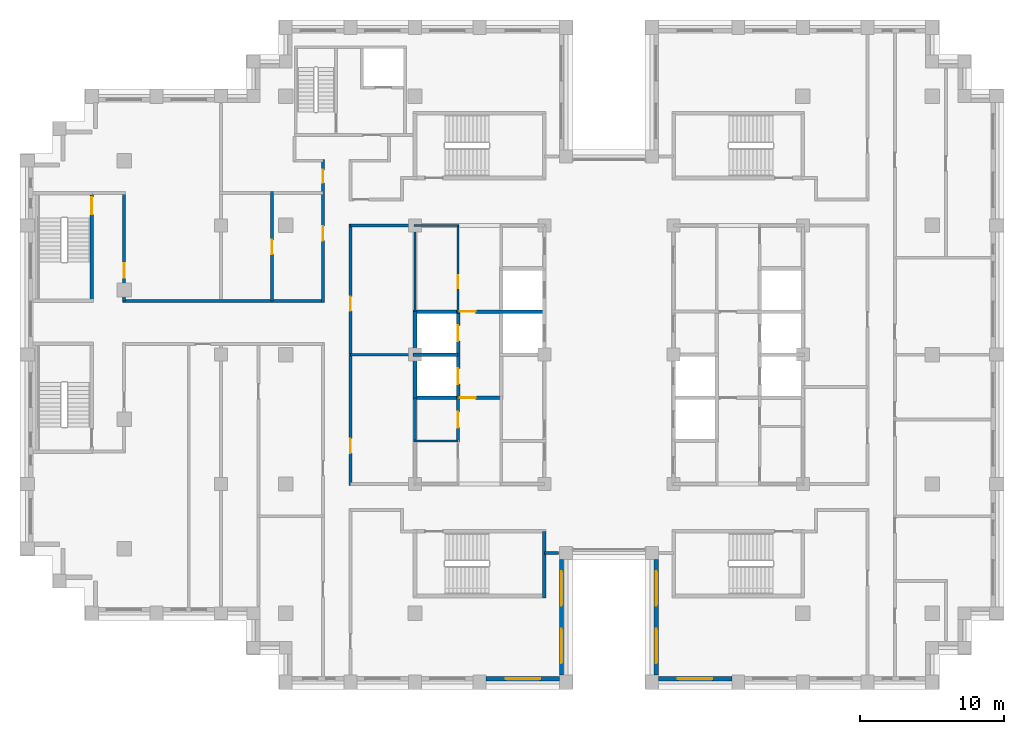
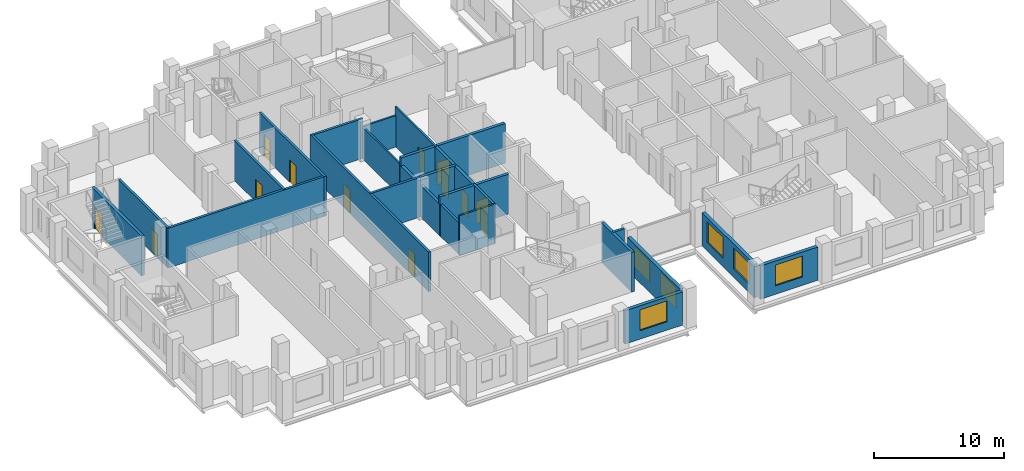
# One storey, part 7 of 15: 25 walls, 13 doors, 6 windows, 19 openings.
"""IFC4 building model written with IfcOpenShell, lengths in metres."""

from ifc_helpers import new_model, si_unit, direction, frame, frame_2d, origin, place, context, subcontext, project, spatial, rectangle, extrude, material, layer, layer_set, type_object, element, fill, save


model = new_model("IFC4")

# Units and contexts
model_context = context("Model", 3, precision=1e-05, world=origin(), true_north=direction((0.0, 1.0)))
body_context = subcontext(model_context, "Body", "Model", "MODEL_VIEW")
ifc_project = project(units=[si_unit("LENGTHUNIT", "METRE"), si_unit("AREAUNIT", "SQUARE_METRE"), si_unit("VOLUMEUNIT", "CUBIC_METRE"), si_unit("PLANEANGLEUNIT", "RADIAN"), si_unit("MASSUNIT", "GRAM", prefix="KILO")], contexts=[model_context])

# Site, building, storey
site_placement = place(None, origin())
site = spatial("IfcSite", under=ifc_project, at=site_placement, CompositionType="ELEMENT")
building_placement = place(site_placement, origin())
building = spatial("IfcBuilding", under=site, at=building_placement, Name="Corbelhall Arena Tower", CompositionType="ELEMENT")
storey_placement = place(building_placement, frame((0.0, 0.0, 196.0)))
storey = spatial("IfcBuildingStorey", under=building, at=storey_placement, Name="L40", CompositionType="ELEMENT", Elevation=196.0)

# Wall, opening, window
ifc_material_1 = material(Name="Precast concrete C40/50 with granite facing", Category="masonry")
ifc_layer_1 = layer(ifc_material_1, 0.300048828125)
ifc_layer_set_1 = layer_set([ifc_layer_1], Name="EV-IW1 Infill panel 300")
wall_type_1 = type_object("IfcWallType", Name="EV-IW1 Infill panel 300", PredefinedType="SOLIDWALL", material=ifc_layer_set_1)
wall_1_placement = place(storey_placement, frame((-8.550048828125, -22.550048828125, 0.0), z_axis=(0.0, 0.0, 1.0), x_axis=(1.0, 0.0, 0.0)))
wall_1 = element("IfcWall", 1, at=wall_1_placement, inside=storey, type_object=wall_type_1, Name="Infill panel IW1", PredefinedType="SOLIDWALL", context=body_context, shape_type="SweptSolid", body=[
    extrude(rectangle(XDim=5.10009765625, YDim=0.300048828125, at=frame_2d((2.550048828125, 0.0))), origin(), (0.0, 0.0, 1.0), 3.1201171875),
])
opening_1_placement = place(wall_1_placement, frame((1.35009765625, 0.0, 0.800048828125)))
opening_1 = element("IfcOpeningElement", 2, at=opening_1_placement, cuts=wall_1, Name="Opening WN1", PredefinedType="OPENING", context=body_context, shape_type="SweptSolid", body=[
    extrude(rectangle(XDim=2.39990234375, YDim=1.949951171875, at=frame_2d((1.199951171875, 0.97509765625))), frame((0.0, 0.14990234375, 0.0), z_axis=(0.0, -1.0, 0.0), x_axis=(1.0, 0.0, 0.0)), (0.0, 0.0, 1.0), 0.300048828125),
])
ifc_material_2 = material(Name="Aluminium black anodised", Category="aluminium")
window_type = type_object("IfcWindowType", Name="EV-WN1 Office window", PartitioningType="SINGLE_PANEL", PredefinedType="WINDOW", material=ifc_material_2)
window_1_placement = place(opening_1_placement, origin())
window_1 = element("IfcWindow", 3, at=window_1_placement, inside=storey, type_object=window_type, Name="Window WN1", OverallHeight=1.949951171875, OverallWidth=2.39990234375, PartitioningType="SINGLE_PANEL", PredefinedType="WINDOW", context=body_context, shape_type="SweptSolid", body=[
    extrude(rectangle(XDim=2.39990234375, YDim=1.949951171875, at=frame_2d((1.199951171875, 0.97509765625))), frame((0.0, 0.030029296875, 0.0), z_axis=(0.0, -1.0, 0.0), x_axis=(1.0, 0.0, 0.0)), (0.0, 0.0, 1.0), 0.06005859375),
])
fill(opening_1, window_1)

# Wall, openings, windows
wall_2_placement = place(storey_placement, frame((-3.300048828125, -22.300048828125, 0.0), z_axis=(0.0, 0.0, 1.0), x_axis=(0.0, 1.0, 0.0)))
wall_2 = element("IfcWall", 4, at=wall_2_placement, inside=storey, type_object=wall_type_1, Name="Infill panel IW1", PredefinedType="SOLIDWALL", context=body_context, shape_type="SweptSolid", body=[
    extrude(rectangle(XDim=8.050048828125, YDim=0.300048828125, at=frame_2d((4.02490234375, 0.0))), origin(), (0.0, 0.0, 1.0), 3.1201171875),
])
opening_2_placement = place(wall_2_placement, frame((0.8125, 0.0, 0.800048828125)))
opening_2 = element("IfcOpeningElement", 5, at=opening_2_placement, cuts=wall_2, Name="Opening WN1", PredefinedType="OPENING", context=body_context, shape_type="SweptSolid", body=[
    extrude(rectangle(XDim=2.39990234375, YDim=1.949951171875, at=frame_2d((1.199951171875, 0.97509765625))), frame((0.0, 0.14990234375, 0.0), z_axis=(0.0, -1.0, 0.0), x_axis=(1.0, 0.0, 0.0)), (0.0, 0.0, 1.0), 0.300048828125),
])
opening_3_placement = place(wall_2_placement, frame((4.83740234375, 0.0, 0.800048828125)))
opening_3 = element("IfcOpeningElement", 6, at=opening_3_placement, cuts=wall_2, Name="Opening WN1", PredefinedType="OPENING", context=body_context, shape_type="SweptSolid", body=[
    extrude(rectangle(XDim=2.39990234375, YDim=1.949951171875, at=frame_2d((1.199951171875, 0.97509765625))), frame((0.0, 0.14990234375, 0.0), z_axis=(0.0, -1.0, 0.0), x_axis=(1.0, 0.0, 0.0)), (0.0, 0.0, 1.0), 0.300048828125),
])
window_2_placement = place(opening_2_placement, origin())
window_2 = element("IfcWindow", 7, at=window_2_placement, inside=storey, type_object=window_type, Name="Window WN1", OverallHeight=1.949951171875, OverallWidth=2.39990234375, PartitioningType="SINGLE_PANEL", PredefinedType="WINDOW", context=body_context, shape_type="SweptSolid", body=[
    extrude(rectangle(XDim=2.39990234375, YDim=1.949951171875, at=frame_2d((1.199951171875, 0.97509765625))), frame((0.0, 0.030029296875, 0.0), z_axis=(0.0, -1.0, 0.0), x_axis=(1.0, 0.0, 0.0)), (0.0, 0.0, 1.0), 0.06005859375),
])
fill(opening_2, window_2)
window_3_placement = place(opening_3_placement, origin())
window_3 = element("IfcWindow", 8, at=window_3_placement, inside=storey, type_object=window_type, Name="Window WN1", OverallHeight=1.949951171875, OverallWidth=2.39990234375, PartitioningType="SINGLE_PANEL", PredefinedType="WINDOW", context=body_context, shape_type="SweptSolid", body=[
    extrude(rectangle(XDim=2.39990234375, YDim=1.949951171875, at=frame_2d((1.199951171875, 0.97509765625))), frame((0.0, 0.030029296875, 0.0), z_axis=(0.0, -1.0, 0.0), x_axis=(1.0, 0.0, 0.0)), (0.0, 0.0, 1.0), 0.06005859375),
])
fill(opening_3, window_3)

wall_3_placement = place(storey_placement, frame((3.300048828125, -14.25, 0.0), z_axis=(0.0, 0.0, 1.0), x_axis=(0.0, -1.0, 0.0)))
wall_3 = element("IfcWall", 9, at=wall_3_placement, inside=storey, type_object=wall_type_1, Name="Infill panel IW1", PredefinedType="SOLIDWALL", context=body_context, shape_type="SweptSolid", body=[
    extrude(rectangle(XDim=8.050048828125, YDim=0.300048828125, at=frame_2d((4.02490234375, 0.0))), origin(), (0.0, 0.0, 1.0), 3.1201171875),
])
opening_4_placement = place(wall_3_placement, frame((0.8125, 0.0, 0.800048828125)))
opening_4 = element("IfcOpeningElement", 10, at=opening_4_placement, cuts=wall_3, Name="Opening WN1", PredefinedType="OPENING", context=body_context, shape_type="SweptSolid", body=[
    extrude(rectangle(XDim=2.39990234375, YDim=1.949951171875, at=frame_2d((1.199951171875, 0.97509765625))), frame((0.0, 0.14990234375, 0.0), z_axis=(0.0, -1.0, 0.0), x_axis=(1.0, 0.0, 0.0)), (0.0, 0.0, 1.0), 0.300048828125),
])
opening_5_placement = place(wall_3_placement, frame((4.83740234375, 0.0, 0.800048828125)))
opening_5 = element("IfcOpeningElement", 11, at=opening_5_placement, cuts=wall_3, Name="Opening WN1", PredefinedType="OPENING", context=body_context, shape_type="SweptSolid", body=[
    extrude(rectangle(XDim=2.39990234375, YDim=1.949951171875, at=frame_2d((1.199951171875, 0.97509765625))), frame((0.0, 0.14990234375, 0.0), z_axis=(0.0, -1.0, 0.0), x_axis=(1.0, 0.0, 0.0)), (0.0, 0.0, 1.0), 0.300048828125),
])
window_4_placement = place(opening_4_placement, origin())
window_4 = element("IfcWindow", 12, at=window_4_placement, inside=storey, type_object=window_type, Name="Window WN1", OverallHeight=1.949951171875, OverallWidth=2.39990234375, PartitioningType="SINGLE_PANEL", PredefinedType="WINDOW", context=body_context, shape_type="SweptSolid", body=[
    extrude(rectangle(XDim=2.39990234375, YDim=1.949951171875, at=frame_2d((1.199951171875, 0.97509765625))), frame((0.0, 0.030029296875, 0.0), z_axis=(0.0, -1.0, 0.0), x_axis=(1.0, 0.0, 0.0)), (0.0, 0.0, 1.0), 0.06005859375),
])
fill(opening_4, window_4)
window_5_placement = place(opening_5_placement, origin())
window_5 = element("IfcWindow", 13, at=window_5_placement, inside=storey, type_object=window_type, Name="Window WN1", OverallHeight=1.949951171875, OverallWidth=2.39990234375, PartitioningType="SINGLE_PANEL", PredefinedType="WINDOW", context=body_context, shape_type="SweptSolid", body=[
    extrude(rectangle(XDim=2.39990234375, YDim=1.949951171875, at=frame_2d((1.199951171875, 0.97509765625))), frame((0.0, 0.030029296875, 0.0), z_axis=(0.0, -1.0, 0.0), x_axis=(1.0, 0.0, 0.0)), (0.0, 0.0, 1.0), 0.06005859375),
])
fill(opening_5, window_5)

# Wall, opening, window
wall_4_placement = place(storey_placement, frame((3.449951171875, -22.550048828125, 0.0), z_axis=(0.0, 0.0, 1.0), x_axis=(1.0, 0.0, 0.0)))
wall_4 = element("IfcWall", 14, at=wall_4_placement, inside=storey, type_object=wall_type_1, Name="Infill panel IW1", PredefinedType="SOLIDWALL", context=body_context, shape_type="SweptSolid", body=[
    extrude(rectangle(XDim=5.10009765625, YDim=0.300048828125, at=frame_2d((2.550048828125, 0.0))), origin(), (0.0, 0.0, 1.0), 3.1201171875),
])
opening_6_placement = place(wall_4_placement, frame((1.35009765625, 0.0, 0.800048828125)))
opening_6 = element("IfcOpeningElement", 15, at=opening_6_placement, cuts=wall_4, Name="Opening WN1", PredefinedType="OPENING", context=body_context, shape_type="SweptSolid", body=[
    extrude(rectangle(XDim=2.39990234375, YDim=1.949951171875, at=frame_2d((1.199951171875, 0.97509765625))), frame((0.0, 0.14990234375, 0.0), z_axis=(0.0, -1.0, 0.0), x_axis=(1.0, 0.0, 0.0)), (0.0, 0.0, 1.0), 0.300048828125),
])
window_6_placement = place(opening_6_placement, origin())
window_6 = element("IfcWindow", 16, at=window_6_placement, inside=storey, type_object=window_type, Name="Window WN1", OverallHeight=1.949951171875, OverallWidth=2.39990234375, PartitioningType="SINGLE_PANEL", PredefinedType="WINDOW", context=body_context, shape_type="SweptSolid", body=[
    extrude(rectangle(XDim=2.39990234375, YDim=1.949951171875, at=frame_2d((1.199951171875, 0.97509765625))), frame((0.0, 0.030029296875, 0.0), z_axis=(0.0, -1.0, 0.0), x_axis=(1.0, 0.0, 0.0)), (0.0, 0.0, 1.0), 0.06005859375),
])
fill(opening_6, window_6)

# Wall
ifc_material_3 = material(Name="Gypsum board on steel stud, acoustic", Category="steel")
ifc_layer_2 = layer(ifc_material_3, 0.199951171875)
ifc_layer_set_2 = layer_set([ifc_layer_2], Name="IN-W-DM200")
wall_type_2 = type_object("IfcWallType", Name="IN-W-DM200", PredefinedType="PARTITIONING", material=ifc_layer_set_2)
wall_5_placement = place(storey_placement, frame((-33.85009765625, 3.75, 0.0), z_axis=(0.0, 0.0, 1.0), x_axis=(1.0, 0.0, 0.0)))
element("IfcWall", 17, at=wall_5_placement, inside=storey, type_object=wall_type_2, Name="Partition 002", PredefinedType="PARTITIONING", context=body_context, shape_type="SweptSolid", body=[
    extrude(rectangle(XDim=13.9501953125, YDim=0.199951171875, at=frame_2d((6.97509765625, 0.0))), origin(), (0.0, 0.0, 1.0), 3.719970703125),
])

# Wall, opening, door
wall_6_placement = place(storey_placement, frame((-33.75, 11.25, 0.0), z_axis=(0.0, 0.0, 1.0), x_axis=(0.0, -1.0, 0.0)))
wall_6 = element("IfcWall", 18, at=wall_6_placement, inside=storey, type_object=wall_type_2, Name="Partition 005", PredefinedType="PARTITIONING", context=body_context, shape_type="SweptSolid", body=[
    extrude(rectangle(XDim=7.5, YDim=0.199951171875, at=frame_2d((3.75, 0.0))), origin(), (0.0, 0.0, 1.0), 3.719970703125),
])
opening_7_placement = place(wall_6_placement, frame((4.89990234375, 0.0, 0.0)))
opening_7 = element("IfcOpeningElement", 19, at=opening_7_placement, cuts=wall_6, Name="Opening 12043", PredefinedType="OPENING", context=body_context, shape_type="SweptSolid", body=[
    extrude(rectangle(XDim=1.0, YDim=2.10009765625, at=frame_2d((0.5, 1.050048828125))), frame((0.0, 0.10009765625, 0.0), z_axis=(0.0, -1.0, 0.0), x_axis=(1.0, 0.0, 0.0)), (0.0, 0.0, 1.0), 0.199951171875),
])
ifc_material_4 = material(Name="Steel door set", Category="steel")
door_type_1 = type_object("IfcDoorType", Name="IN-D-SW100", OperationType="NOTDEFINED", PredefinedType="DOOR", material=ifc_material_4)
door_1_placement = place(opening_7_placement, origin())
door_1 = element("IfcDoor", 20, at=door_1_placement, inside=storey, type_object=door_type_1, Name="Door 043", OperationType="SINGLE_SWING_RIGHT", OverallHeight=2.10009765625, OverallWidth=1.0, PredefinedType="DOOR", context=body_context, shape_type="SweptSolid", body=[
    extrude(rectangle(XDim=1.0, YDim=2.10009765625, at=frame_2d((0.5, 1.050048828125))), frame((0.0, 0.02490234375, 0.0), z_axis=(0.0, -1.0, 0.0), x_axis=(1.0, 0.0, 0.0)), (0.0, 0.0, 1.0), 0.050048828125),
])
fill(opening_7, door_1)

wall_7_placement = place(storey_placement, frame((-23.449951171875, 3.75, 0.0), z_axis=(0.0, 0.0, 1.0), x_axis=(0.0, 1.0, 0.0)))
wall_7 = element("IfcWall", 21, at=wall_7_placement, inside=storey, type_object=wall_type_2, Name="Partition 013", PredefinedType="PARTITIONING", context=body_context, shape_type="SweptSolid", body=[
    extrude(rectangle(XDim=7.60009765625, YDim=0.199951171875, at=frame_2d((3.800048828125, 0.0))), origin(), (0.0, 0.0, 1.0), 3.719970703125),
])
opening_8_placement = place(wall_7_placement, frame((3.25, 0.0, 0.0)))
opening_8 = element("IfcOpeningElement", 22, at=opening_8_placement, cuts=wall_7, Name="Opening 12032", PredefinedType="OPENING", context=body_context, shape_type="SweptSolid", body=[
    extrude(rectangle(XDim=1.0, YDim=2.10009765625, at=frame_2d((0.5, 1.050048828125))), frame((0.0, 0.10009765625, 0.0), z_axis=(0.0, -1.0, 0.0), x_axis=(1.0, 0.0, 0.0)), (0.0, 0.0, 1.0), 0.199951171875),
])
door_2_placement = place(opening_8_placement, origin())
door_2 = element("IfcDoor", 23, at=door_2_placement, inside=storey, type_object=door_type_1, Name="Door 032", OperationType="SINGLE_SWING_LEFT", OverallHeight=2.10009765625, OverallWidth=1.0, PredefinedType="DOOR", context=body_context, shape_type="SweptSolid", body=[
    extrude(rectangle(XDim=1.0, YDim=2.10009765625, at=frame_2d((0.5, 1.050048828125))), frame((0.0, 0.02490234375, 0.0), z_axis=(0.0, -1.0, 0.0), x_axis=(1.0, 0.0, 0.0)), (0.0, 0.0, 1.0), 0.050048828125),
])
fill(opening_8, door_2)

# Wall, openings, doors
wall_8_placement = place(storey_placement, frame((-19.89990234375, 3.64990234375, 0.0), z_axis=(0.0, 0.0, 1.0), x_axis=(0.0, 1.0, 0.0)))
wall_8 = element("IfcWall", 24, at=wall_8_placement, inside=storey, type_object=wall_type_2, Name="Partition 016", PredefinedType="PARTITIONING", context=body_context, shape_type="SweptSolid", body=[
    extrude(rectangle(XDim=9.9501953125, YDim=0.199951171875, at=frame_2d((4.97509765625, 0.0))), origin(), (0.0, 0.0, 1.0), 3.719970703125),
])
opening_9_placement = place(wall_8_placement, frame((4.300048828125, 0.0, 0.0)))
opening_9 = element("IfcOpeningElement", 25, at=opening_9_placement, cuts=wall_8, Name="Opening 12031", PredefinedType="OPENING", context=body_context, shape_type="SweptSolid", body=[
    extrude(rectangle(XDim=1.0, YDim=2.10009765625, at=frame_2d((0.5, 1.050048828125))), frame((0.0, 0.10009765625, 0.0), z_axis=(0.0, -1.0, 0.0), x_axis=(1.0, 0.0, 0.0)), (0.0, 0.0, 1.0), 0.199951171875),
])
opening_10_placement = place(wall_8_placement, frame((8.320068359375, 0.0, 0.0)))
opening_10 = element("IfcOpeningElement", 26, at=opening_10_placement, cuts=wall_8, Name="Opening 12046", PredefinedType="OPENING", context=body_context, shape_type="SweptSolid", body=[
    extrude(rectangle(XDim=0.89990234375, YDim=2.10009765625, at=frame_2d((0.449951171875, 1.050048828125))), frame((0.0, 0.10009765625, 0.0), z_axis=(0.0, -1.0, 0.0), x_axis=(1.0, 0.0, 0.0)), (0.0, 0.0, 1.0), 0.199951171875),
])
door_3_placement = place(opening_9_placement, origin())
door_3 = element("IfcDoor", 27, at=door_3_placement, inside=storey, type_object=door_type_1, Name="Door 031", OperationType="SINGLE_SWING_RIGHT", OverallHeight=2.10009765625, OverallWidth=1.0, PredefinedType="DOOR", context=body_context, shape_type="SweptSolid", body=[
    extrude(rectangle(XDim=1.0, YDim=2.10009765625, at=frame_2d((0.5, 1.050048828125))), frame((0.0, 0.02490234375, 0.0), z_axis=(0.0, -1.0, 0.0), x_axis=(1.0, 0.0, 0.0)), (0.0, 0.0, 1.0), 0.050048828125),
])
fill(opening_9, door_3)
ifc_material_5 = material(Name="Timber door set", Category="wood")
door_type_2 = type_object("IfcDoorType", Name="IN-D-SW90", OperationType="NOTDEFINED", PredefinedType="DOOR", material=ifc_material_5)
door_4_placement = place(opening_10_placement, origin())
door_4 = element("IfcDoor", 28, at=door_4_placement, inside=storey, type_object=door_type_2, Name="Door 046", OperationType="SINGLE_SWING_LEFT", OverallHeight=2.10009765625, OverallWidth=0.89990234375, PredefinedType="DOOR", context=body_context, shape_type="SweptSolid", body=[
    extrude(rectangle(XDim=0.89990234375, YDim=2.10009765625, at=frame_2d((0.449951171875, 1.050048828125))), frame((0.0, 0.02490234375, 0.0), z_axis=(0.0, -1.0, 0.0), x_axis=(1.0, 0.0, 0.0)), (0.0, 0.0, 1.0), 0.050048828125),
])
fill(opening_10, door_4)

# Wall
wall_9_placement = place(storey_placement, frame((-18.0, 0.0, 0.0), z_axis=(0.0, 0.0, 1.0), x_axis=(1.0, 0.0, 0.0)))
element("IfcWall", 29, at=wall_9_placement, inside=storey, type_object=wall_type_2, Name="Partition 020", PredefinedType="PARTITIONING", context=body_context, shape_type="SweptSolid", body=[
    extrude(rectangle(XDim=4.5, YDim=0.199951171875, at=frame_2d((2.25, 0.0))), origin(), (0.0, 0.0, 1.0), 3.719970703125),
])

# Wall, openings, doors
wall_10_placement = place(storey_placement, frame((-18.0, 9.10009765625, 0.0), z_axis=(0.0, 0.0, 1.0), x_axis=(0.0, -1.0, 0.0)))
wall_10 = element("IfcWall", 30, at=wall_10_placement, inside=storey, type_object=wall_type_2, Name="Partition 021", PredefinedType="PARTITIONING", context=body_context, shape_type="SweptSolid", body=[
    extrude(rectangle(XDim=18.2001953125, YDim=0.199951171875, at=frame_2d((9.10009765625, 0.0))), origin(), (0.0, 0.0, 1.0), 3.719970703125),
])
opening_11_placement = place(wall_10_placement, frame((14.949951171875, 0.0, 0.0)))
opening_11 = element("IfcOpeningElement", 31, at=opening_11_placement, cuts=wall_10, Name="Opening 12023", PredefinedType="OPENING", context=body_context, shape_type="SweptSolid", body=[
    extrude(rectangle(XDim=1.0, YDim=2.10009765625, at=frame_2d((0.5, 1.050048828125))), frame((0.0, 0.10009765625, 0.0), z_axis=(0.0, -1.0, 0.0), x_axis=(1.0, 0.0, 0.0)), (0.0, 0.0, 1.0), 0.199951171875),
])
opening_12_placement = place(wall_10_placement, frame((5.050048828125, 0.0, 0.0)))
opening_12 = element("IfcOpeningElement", 32, at=opening_12_placement, cuts=wall_10, Name="Opening 12024", PredefinedType="OPENING", context=body_context, shape_type="SweptSolid", body=[
    extrude(rectangle(XDim=1.0, YDim=2.10009765625, at=frame_2d((0.5, 1.050048828125))), frame((0.0, 0.10009765625, 0.0), z_axis=(0.0, -1.0, 0.0), x_axis=(1.0, 0.0, 0.0)), (0.0, 0.0, 1.0), 0.199951171875),
])
door_5_placement = place(opening_11_placement, origin())
door_5 = element("IfcDoor", 33, at=door_5_placement, inside=storey, type_object=door_type_1, Name="Door 023", OperationType="SINGLE_SWING_RIGHT", OverallHeight=2.10009765625, OverallWidth=1.0, PredefinedType="DOOR", context=body_context, shape_type="SweptSolid", body=[
    extrude(rectangle(XDim=1.0, YDim=2.10009765625, at=frame_2d((0.5, 1.050048828125))), frame((0.0, 0.02490234375, 0.0), z_axis=(0.0, -1.0, 0.0), x_axis=(1.0, 0.0, 0.0)), (0.0, 0.0, 1.0), 0.050048828125),
])
fill(opening_11, door_5)
door_6_placement = place(opening_12_placement, origin())
door_6 = element("IfcDoor", 34, at=door_6_placement, inside=storey, type_object=door_type_1, Name="Door 024", OperationType="SINGLE_SWING_LEFT", OverallHeight=2.10009765625, OverallWidth=1.0, PredefinedType="DOOR", context=body_context, shape_type="SweptSolid", body=[
    extrude(rectangle(XDim=1.0, YDim=2.10009765625, at=frame_2d((0.5, 1.050048828125))), frame((0.0, 0.02490234375, 0.0), z_axis=(0.0, -1.0, 0.0), x_axis=(1.0, 0.0, 0.0)), (0.0, 0.0, 1.0), 0.050048828125),
])
fill(opening_12, door_6)

# Walls
wall_11_placement = place(storey_placement, frame((-13.5, 9.0, 0.0), z_axis=(0.0, 0.0, 1.0), x_axis=(-1.0, 0.0, 0.0)))
element("IfcWall", 35, at=wall_11_placement, inside=storey, type_object=wall_type_2, Name="Partition 029", PredefinedType="PARTITIONING", context=body_context, shape_type="SweptSolid", body=[
    extrude(rectangle(XDim=4.5, YDim=0.199951171875, at=frame_2d((2.25, 0.0))), origin(), (0.0, 0.0, 1.0), 3.719970703125),
])
wall_12_placement = place(storey_placement, frame((-3.5, -13.800048828125, 0.0), z_axis=(0.0, 0.0, 1.0), x_axis=(-1.0, 0.0, 0.0)))
element("IfcWall", 36, at=wall_12_placement, inside=storey, type_object=wall_type_2, Name="Partition 033", PredefinedType="PARTITIONING", context=body_context, shape_type="SweptSolid", body=[
    extrude(rectangle(XDim=1.0, YDim=0.199951171875, at=frame_2d((0.5, 0.0))), origin(), (0.0, 0.0, 1.0), 3.719970703125),
])

# Wall, opening, door
ifc_material_6 = material(Name="Concrete block wall", Category="concrete")
ifc_layer_3 = layer(ifc_material_6, 0.199951171875)
ifc_layer_set_3 = layer_set([ifc_layer_3], Name="IN-W-RS200")
wall_type_3 = type_object("IfcWallType", Name="IN-W-RS200", PredefinedType="SOLIDWALL", material=ifc_layer_set_3)
wall_13_placement = place(storey_placement, frame((-10.5, -6.074951171875, 0.0), z_axis=(0.0, 0.0, 1.0), x_axis=(0.0, 1.0, 0.0)))
wall_13 = element("IfcWall", 37, at=wall_13_placement, inside=storey, type_object=wall_type_3, Name="Partition 057", PredefinedType="SOLIDWALL", context=body_context, shape_type="SweptSolid", body=[
    extrude(rectangle(XDim=3.199951171875, YDim=0.199951171875, at=frame_2d((1.60009765625, 0.0))), origin(), (0.0, 0.0, 1.0), 3.719970703125),
])
opening_13_placement = place(wall_13_placement, frame((1.0, 0.0, 0.0)))
opening_13 = element("IfcOpeningElement", 38, at=opening_13_placement, cuts=wall_13, Name="Opening 12007", PredefinedType="OPENING", context=body_context, shape_type="SweptSolid", body=[
    extrude(rectangle(XDim=1.10009765625, YDim=2.10009765625, at=frame_2d((0.550048828125, 1.050048828125))), frame((0.0, 0.10009765625, 0.0), z_axis=(0.0, -1.0, 0.0), x_axis=(1.0, 0.0, 0.0)), (0.0, 0.0, 1.0), 0.199951171875),
])
door_type_3 = type_object("IfcDoorType", Name="IN-D-FD110", OperationType="NOTDEFINED", PredefinedType="DOOR", material=ifc_material_4)
door_7_placement = place(opening_13_placement, origin())
door_7 = element("IfcDoor", 39, at=door_7_placement, inside=storey, type_object=door_type_3, Name="Door 007", OperationType="SINGLE_SWING_RIGHT", OverallHeight=2.10009765625, OverallWidth=1.10009765625, PredefinedType="DOOR", context=body_context, shape_type="SweptSolid", body=[
    extrude(rectangle(XDim=1.10009765625, YDim=2.10009765625, at=frame_2d((0.550048828125, 1.050048828125))), frame((0.0, 0.02490234375, 0.0), z_axis=(0.0, -1.0, 0.0), x_axis=(1.0, 0.0, 0.0)), (0.0, 0.0, 1.0), 0.050048828125),
])
fill(opening_13, door_7)

# Walls
ifc_layer_4 = layer(ifc_material_6, 0.199951171875)
ifc_layer_set_4 = layer_set([ifc_layer_4], Name="IN-W-RS200 under beam 762 mm")
wall_type_4 = type_object("IfcWallType", Name="IN-W-RS200 under beam 762 mm", PredefinedType="SOLIDWALL", material=ifc_layer_set_4)
wall_14_placement = place(storey_placement, frame((-13.5, -6.0, 0.0), z_axis=(0.0, 0.0, 1.0), x_axis=(0.0, 1.0, 0.0)))
element("IfcWall", 40, at=wall_14_placement, inside=storey, type_object=wall_type_4, Name="Partition 056", PredefinedType="SOLIDWALL", context=body_context, shape_type="SweptSolid", body=[
    extrude(rectangle(XDim=3.0, YDim=0.199951171875, at=frame_2d((1.5, 0.0))), origin(), (0.0, 0.0, 1.0), 2.9580078125),
])
ifc_material_7 = material(Name="Concrete C40/50", Category="concrete")
ifc_layer_5 = layer(ifc_material_7, 0.25)
ifc_layer_set_5 = layer_set([ifc_layer_5], Name="IN-W-SH250")
wall_type_5 = type_object("IfcWallType", Name="IN-W-SH250", PredefinedType="SOLIDWALL", material=ifc_layer_set_5)
wall_15_placement = place(storey_placement, frame((-13.625, 0.0, 0.0), z_axis=(0.0, 0.0, 1.0), x_axis=(1.0, 0.0, 0.0)))
element("IfcWall", 41, at=wall_15_placement, inside=storey, type_object=wall_type_5, Name="Shaft wall 077", PredefinedType="SOLIDWALL", context=body_context, shape_type="SweptSolid", body=[
    extrude(rectangle(XDim=3.125, YDim=0.25, at=frame_2d((1.5625, 0.0))), origin(), (0.0, 0.0, 1.0), 3.719970703125),
])

# Wall, opening, door
wall_16_placement = place(storey_placement, frame((-13.625, 3.0, 0.0), z_axis=(0.0, 0.0, 1.0), x_axis=(1.0, 0.0, 0.0)))
wall_16 = element("IfcWall", 42, at=wall_16_placement, inside=storey, type_object=wall_type_5, Name="Shaft wall 078", PredefinedType="SOLIDWALL", context=body_context, shape_type="SweptSolid", body=[
    extrude(rectangle(XDim=9.25, YDim=0.25, at=frame_2d((4.625, 0.0))), origin(), (0.0, 0.0, 1.0), 3.719970703125),
])
opening_14_placement = place(wall_16_placement, frame((3.25, 0.0, 0.0)))
opening_14 = element("IfcOpeningElement", 43, at=opening_14_placement, cuts=wall_16, Name="Opening 12005", PredefinedType="OPENING", context=body_context, shape_type="SweptSolid", body=[
    extrude(rectangle(XDim=1.10009765625, YDim=2.10009765625, at=frame_2d((0.550048828125, 1.050048828125))), frame((0.0, 0.125, 0.0), z_axis=(0.0, -1.0, 0.0), x_axis=(1.0, 0.0, 0.0)), (0.0, 0.0, 1.0), 0.25),
])
door_8_placement = place(opening_14_placement, origin())
door_8 = element("IfcDoor", 44, at=door_8_placement, inside=storey, type_object=door_type_3, Name="Door 005", OperationType="SINGLE_SWING_RIGHT", OverallHeight=2.10009765625, OverallWidth=1.10009765625, PredefinedType="DOOR", context=body_context, shape_type="SweptSolid", body=[
    extrude(rectangle(XDim=1.10009765625, YDim=2.10009765625, at=frame_2d((0.550048828125, 1.050048828125))), frame((0.0, 0.02490234375, 0.0), z_axis=(0.0, -1.0, 0.0), x_axis=(1.0, 0.0, 0.0)), (0.0, 0.0, 1.0), 0.050048828125),
])
fill(opening_14, door_8)

wall_17_placement = place(storey_placement, frame((-13.625, -3.0, 0.0), z_axis=(0.0, 0.0, 1.0), x_axis=(1.0, 0.0, 0.0)))
wall_17 = element("IfcWall", 45, at=wall_17_placement, inside=storey, type_object=wall_type_5, Name="Shaft wall 080", PredefinedType="SOLIDWALL", context=body_context, shape_type="SweptSolid", body=[
    extrude(rectangle(XDim=6.125, YDim=0.25, at=frame_2d((3.0625, 0.0))), origin(), (0.0, 0.0, 1.0), 3.719970703125),
])
opening_15_placement = place(wall_17_placement, frame((3.25, 0.0, 0.0)))
opening_15 = element("IfcOpeningElement", 46, at=opening_15_placement, cuts=wall_17, Name="Opening 12004", PredefinedType="OPENING", context=body_context, shape_type="SweptSolid", body=[
    extrude(rectangle(XDim=1.10009765625, YDim=2.10009765625, at=frame_2d((0.550048828125, 1.050048828125))), frame((0.0, 0.125, 0.0), z_axis=(0.0, -1.0, 0.0), x_axis=(1.0, 0.0, 0.0)), (0.0, 0.0, 1.0), 0.25),
])
door_9_placement = place(opening_15_placement, origin())
door_9 = element("IfcDoor", 47, at=door_9_placement, inside=storey, type_object=door_type_3, Name="Door 004", OperationType="SINGLE_SWING_LEFT", OverallHeight=2.10009765625, OverallWidth=1.10009765625, PredefinedType="DOOR", context=body_context, shape_type="SweptSolid", body=[
    extrude(rectangle(XDim=1.10009765625, YDim=2.10009765625, at=frame_2d((0.550048828125, 1.050048828125))), frame((0.0, 0.02490234375, 0.0), z_axis=(0.0, -1.0, 0.0), x_axis=(1.0, 0.0, 0.0)), (0.0, 0.0, 1.0), 0.050048828125),
])
fill(opening_15, door_9)

# Wall, openings, doors
wall_18_placement = place(storey_placement, frame((-10.5, -3.125, 0.0), z_axis=(0.0, 0.0, 1.0), x_axis=(0.0, 1.0, 0.0)))
wall_18 = element("IfcWall", 48, at=wall_18_placement, inside=storey, type_object=wall_type_5, Name="Shaft wall 081", PredefinedType="SOLIDWALL", context=body_context, shape_type="SweptSolid", body=[
    extrude(rectangle(XDim=6.25, YDim=0.25, at=frame_2d((3.125, 0.0))), origin(), (0.0, 0.0, 1.0), 3.719970703125),
])
opening_16_placement = place(wall_18_placement, frame((1.074951171875, 0.0, 0.0)))
opening_16 = element("IfcOpeningElement", 49, at=opening_16_placement, cuts=wall_18, Name="Opening LD", PredefinedType="OPENING", context=body_context, shape_type="SweptSolid", body=[
    extrude(rectangle(XDim=1.10009765625, YDim=2.10009765625, at=frame_2d((0.550048828125, 1.050048828125))), frame((0.0, 0.125, 0.0), z_axis=(0.0, -1.0, 0.0), x_axis=(1.0, 0.0, 0.0)), (0.0, 0.0, 1.0), 0.25),
])
opening_17_placement = place(wall_18_placement, frame((4.074951171875, 0.0, 0.0)))
opening_17 = element("IfcOpeningElement", 50, at=opening_17_placement, cuts=wall_18, Name="Opening LD", PredefinedType="OPENING", context=body_context, shape_type="SweptSolid", body=[
    extrude(rectangle(XDim=1.10009765625, YDim=2.10009765625, at=frame_2d((0.550048828125, 1.050048828125))), frame((0.0, 0.125, 0.0), z_axis=(0.0, -1.0, 0.0), x_axis=(1.0, 0.0, 0.0)), (0.0, 0.0, 1.0), 0.25),
])
door_type_4 = type_object("IfcDoorType", Name="IN-D-LD110", OperationType="NOTDEFINED", PredefinedType="DOOR", material=ifc_material_4)
door_10_placement = place(opening_16_placement, origin())
door_10 = element("IfcDoor", 51, at=door_10_placement, inside=storey, type_object=door_type_4, Name="Landing door W3", OperationType="SLIDING_TO_LEFT", OverallHeight=2.10009765625, OverallWidth=1.10009765625, PredefinedType="DOOR", context=body_context, shape_type="SweptSolid", body=[
    extrude(rectangle(XDim=1.10009765625, YDim=2.10009765625, at=frame_2d((0.550048828125, 1.050048828125))), frame((0.0, 0.02490234375, 0.0), z_axis=(0.0, -1.0, 0.0), x_axis=(1.0, 0.0, 0.0)), (0.0, 0.0, 1.0), 0.050048828125),
])
fill(opening_16, door_10)
door_11_placement = place(opening_17_placement, origin())
door_11 = element("IfcDoor", 52, at=door_11_placement, inside=storey, type_object=door_type_4, Name="Landing door W4", OperationType="SLIDING_TO_LEFT", OverallHeight=2.10009765625, OverallWidth=1.10009765625, PredefinedType="DOOR", context=body_context, shape_type="SweptSolid", body=[
    extrude(rectangle(XDim=1.10009765625, YDim=2.10009765625, at=frame_2d((0.550048828125, 1.050048828125))), frame((0.0, 0.02490234375, 0.0), z_axis=(0.0, -1.0, 0.0), x_axis=(1.0, 0.0, 0.0)), (0.0, 0.0, 1.0), 0.050048828125),
])
fill(opening_17, door_11)

# Wall
ifc_layer_6 = layer(ifc_material_7, 0.25)
ifc_layer_set_6 = layer_set([ifc_layer_6], Name="IN-W-SH250 under beam 762 mm")
wall_type_6 = type_object("IfcWallType", Name="IN-W-SH250 under beam 762 mm", PredefinedType="SOLIDWALL", material=ifc_layer_set_6)
wall_19_placement = place(storey_placement, frame((-13.5, -3.0, 0.0), z_axis=(0.0, 0.0, 1.0), x_axis=(0.0, 1.0, 0.0)))
element("IfcWall", 53, at=wall_19_placement, inside=storey, type_object=wall_type_6, Name="Shaft wall 079", PredefinedType="SOLIDWALL", context=body_context, shape_type="SweptSolid", body=[
    extrude(rectangle(XDim=6.0, YDim=0.25, at=frame_2d((3.0, 0.0))), origin(), (0.0, 0.0, 1.0), 2.9580078125),
])

# Wall, opening, door
ifc_layer_7 = layer(ifc_material_7, 0.25)
ifc_layer_set_7 = layer_set([ifc_layer_7], Name="IN-W-ST250")
wall_type_7 = type_object("IfcWallType", Name="IN-W-ST250", PredefinedType="SOLIDWALL", material=ifc_layer_set_7)
wall_20_placement = place(storey_placement, frame((-36.0, 11.375, 0.0), z_axis=(0.0, 0.0, 1.0), x_axis=(0.0, -1.0, 0.0)))
wall_20 = element("IfcWall", 54, at=wall_20_placement, inside=storey, type_object=wall_type_7, Name="Shaft wall 100", PredefinedType="SOLIDWALL", context=body_context, shape_type="SweptSolid", body=[
    extrude(rectangle(XDim=7.625, YDim=0.25, at=frame_2d((3.8125, 0.0))), origin(), (0.0, 0.0, 1.0), 3.719970703125),
])
opening_18_placement = place(wall_20_placement, frame((0.39990234375, 0.0, 0.0)))
opening_18 = element("IfcOpeningElement", 55, at=opening_18_placement, cuts=wall_20, Name="Opening 12021", PredefinedType="OPENING", context=body_context, shape_type="SweptSolid", body=[
    extrude(rectangle(XDim=1.199951171875, YDim=2.10009765625, at=frame_2d((0.60009765625, 1.050048828125))), frame((0.0, 0.125, 0.0), z_axis=(0.0, -1.0, 0.0), x_axis=(1.0, 0.0, 0.0)), (0.0, 0.0, 1.0), 0.25),
])
door_type_5 = type_object("IfcDoorType", Name="IN-D-ST120", OperationType="NOTDEFINED", PredefinedType="DOOR", material=ifc_material_4)
door_12_placement = place(opening_18_placement, origin())
door_12 = element("IfcDoor", 56, at=door_12_placement, inside=storey, type_object=door_type_5, Name="Door 021", OperationType="SINGLE_SWING_RIGHT", OverallHeight=2.10009765625, OverallWidth=1.199951171875, PredefinedType="DOOR", context=body_context, shape_type="SweptSolid", body=[
    extrude(rectangle(XDim=1.199951171875, YDim=2.10009765625, at=frame_2d((0.60009765625, 1.050048828125))), frame((0.0, 0.02490234375, 0.0), z_axis=(0.0, -1.0, 0.0), x_axis=(1.0, 0.0, 0.0)), (0.0, 0.0, 1.0), 0.050048828125),
])
fill(opening_18, door_12)

# Walls
wall_21_placement = place(storey_placement, frame((-4.5, -12.300048828125, 0.0), z_axis=(0.0, 0.0, 1.0), x_axis=(0.0, -1.0, 0.0)))
element("IfcWall", 57, at=wall_21_placement, inside=storey, type_object=wall_type_7, Name="Shaft wall 107", PredefinedType="SOLIDWALL", context=body_context, shape_type="SweptSolid", body=[
    extrude(rectangle(XDim=4.625, YDim=0.25, at=frame_2d((2.3125, 0.0))), origin(), (0.0, 0.0, 1.0), 3.719970703125),
])
ifc_material_8 = material(Name="Gypsum board on steel stud, moisture resistant", Category="steel")
ifc_layer_8 = layer(ifc_material_8, 0.14990234375)
ifc_layer_set_8 = layer_set([ifc_layer_8], Name="IN-W-WC150")
wall_type_8 = type_object("IfcWallType", Name="IN-W-WC150", PredefinedType="PARTITIONING", material=ifc_layer_set_8)
wall_22_placement = place(storey_placement, frame((-13.60009765625, -6.0, 0.0), z_axis=(0.0, 0.0, 1.0), x_axis=(1.0, 0.0, 0.0)))
element("IfcWall", 58, at=wall_22_placement, inside=storey, type_object=wall_type_8, Name="Partition 118", PredefinedType="PARTITIONING", context=body_context, shape_type="SweptSolid", body=[
    extrude(rectangle(XDim=3.10009765625, YDim=0.14990234375, at=frame_2d((1.550048828125, 0.0))), origin(), (0.0, 0.0, 1.0), 3.719970703125),
])

# Wall, opening, door
wall_23_placement = place(storey_placement, frame((-10.5, 2.875, 0.0), z_axis=(0.0, 0.0, 1.0), x_axis=(0.0, 1.0, 0.0)))
wall_23 = element("IfcWall", 59, at=wall_23_placement, inside=storey, type_object=wall_type_8, Name="Partition 124", PredefinedType="PARTITIONING", context=body_context, shape_type="SweptSolid", body=[
    extrude(rectangle(XDim=6.199951171875, YDim=0.14990234375, at=frame_2d((3.10009765625, 0.0))), origin(), (0.0, 0.0, 1.0), 3.719970703125),
])
opening_19_placement = place(wall_23_placement, frame((1.75, 0.0, 0.0)))
opening_19 = element("IfcOpeningElement", 60, at=opening_19_placement, cuts=wall_23, Name="Opening 12008", PredefinedType="OPENING", context=body_context, shape_type="SweptSolid", body=[
    extrude(rectangle(XDim=0.89990234375, YDim=2.10009765625, at=frame_2d((0.449951171875, 1.050048828125))), frame((0.0, 0.074951171875, 0.0), z_axis=(0.0, -1.0, 0.0), x_axis=(1.0, 0.0, 0.0)), (0.0, 0.0, 1.0), 0.14990234375),
])
door_13_placement = place(opening_19_placement, origin())
door_13 = element("IfcDoor", 61, at=door_13_placement, inside=storey, type_object=door_type_2, Name="Door 008", OperationType="SINGLE_SWING_LEFT", OverallHeight=2.10009765625, OverallWidth=0.89990234375, PredefinedType="DOOR", context=body_context, shape_type="SweptSolid", body=[
    extrude(rectangle(XDim=0.89990234375, YDim=2.10009765625, at=frame_2d((0.449951171875, 1.050048828125))), frame((0.0, 0.02490234375, 0.0), z_axis=(0.0, -1.0, 0.0), x_axis=(1.0, 0.0, 0.0)), (0.0, 0.0, 1.0), 0.050048828125),
])
fill(opening_19, door_13)

# Walls
ifc_layer_9 = layer(ifc_material_8, 0.14990234375)
ifc_layer_set_9 = layer_set([ifc_layer_9], Name="IN-W-WC150 under beam 762 mm")
wall_type_9 = type_object("IfcWallType", Name="IN-W-WC150 under beam 762 mm", PredefinedType="PARTITIONING", material=ifc_layer_set_9)
wall_24_placement = place(storey_placement, frame((-13.574951171875, 9.0, 0.0), z_axis=(0.0, 0.0, 1.0), x_axis=(1.0, 0.0, 0.0)))
element("IfcWall", 62, at=wall_24_placement, inside=storey, type_object=wall_type_9, Name="Partition 119", PredefinedType="PARTITIONING", context=body_context, shape_type="SweptSolid", body=[
    extrude(rectangle(XDim=3.074951171875, YDim=0.14990234375, at=frame_2d((1.53759765625, 0.0))), origin(), (0.0, 0.0, 1.0), 2.9580078125),
])
wall_25_placement = place(storey_placement, frame((-13.5, 3.0, 0.0), z_axis=(0.0, 0.0, 1.0), x_axis=(0.0, 1.0, 0.0)))
element("IfcWall", 63, at=wall_25_placement, inside=storey, type_object=wall_type_9, Name="Partition 121", PredefinedType="PARTITIONING", context=body_context, shape_type="SweptSolid", body=[
    extrude(rectangle(XDim=6.10009765625, YDim=0.14990234375, at=frame_2d((3.050048828125, 0.0))), origin(), (0.0, 0.0, 1.0), 2.9580078125),
])

save(model, "model.ifc")
